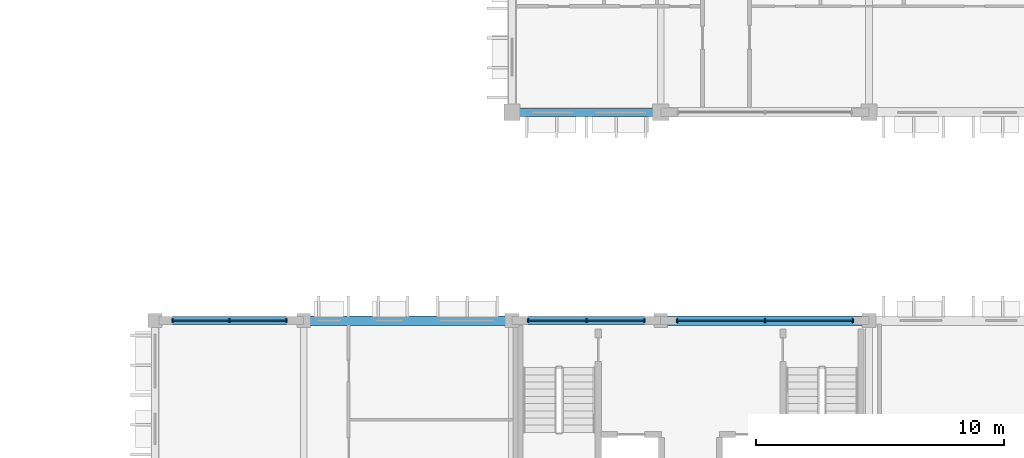
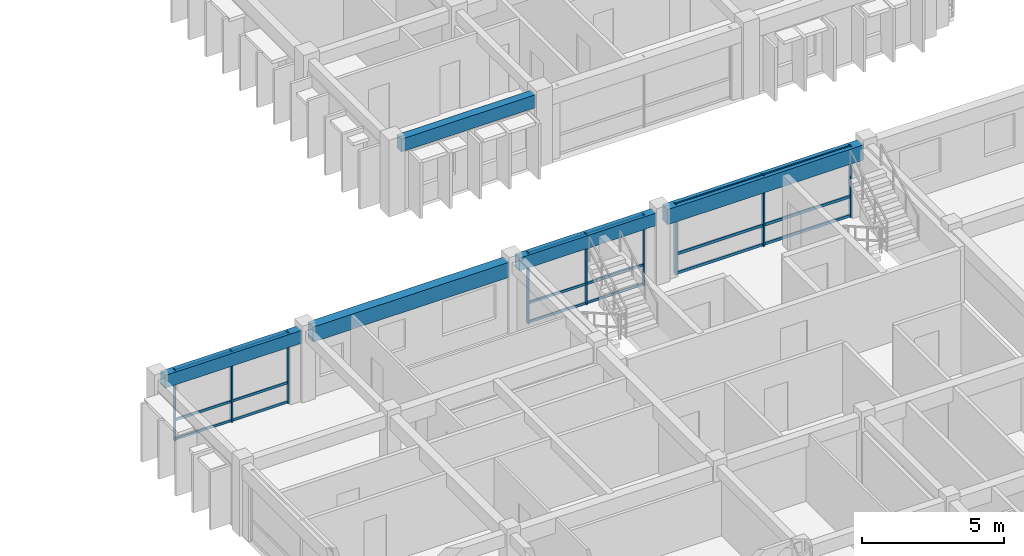
# One storey, part 17 of 79: 18 members, 5 beams, 3 elements without a shape of their own.
"""IFC4 building model written with IfcOpenShell, lengths in metres."""

from ifc_helpers import new_model, si_unit, direction, frame, origin, origin_2d, place, context, subcontext, project, spatial, rectangle, extrude, material, material_profile, profile_set, type_object, element, aggregate, save


model = new_model("IFC4")

# Units and contexts
model_context = context("Model", 3, precision=1e-05, world=origin(), true_north=direction((0.0, 1.0)))
body_context = subcontext(model_context, "Body", "Model", "MODEL_VIEW")
ifc_project = project(units=[si_unit("LENGTHUNIT", "METRE"), si_unit("AREAUNIT", "SQUARE_METRE"), si_unit("VOLUMEUNIT", "CUBIC_METRE"), si_unit("PLANEANGLEUNIT", "RADIAN"), si_unit("MASSUNIT", "GRAM", prefix="KILO"), si_unit("THERMODYNAMICTEMPERATUREUNIT", "KELVIN")], contexts=[model_context])

# Site, building, storey
site_placement = place(None, origin())
site = spatial("IfcSite", under=ifc_project, at=site_placement, CompositionType="ELEMENT")
building_placement = place(site_placement, origin())
building = spatial("IfcBuilding", under=site, at=building_placement, Name="Thalorik Housing Commons", CompositionType="ELEMENT")
storey_placement = place(building_placement, frame((0.0, 0.0, 11.39990234375)))
storey = spatial("IfcBuildingStorey", under=building, at=storey_placement, Name="L03", CompositionType="ELEMENT", Elevation=11.39990234375)

# Curtain wall, members
ifc_material_1 = material(Name="Anodised aluminium and solar-control low-E glass", Category="aluminium")
curtain_wall_type_1 = type_object("IfcCurtainWallType", Name="ARC-CW-LOUNGE", PredefinedType="USERDEFINED", material=ifc_material_1)
curtain_wall_1_placement = place(storey_placement, origin())
curtain_wall_1 = element("IfcCurtainWall", 1, at=curtain_wall_1_placement, inside=storey, type_object=curtain_wall_type_1, Name="L03 Curtain Wall CW-RES-L03-D-182", ObjectType="CURTAIN WALL", PredefinedType="USERDEFINED")
ifc_material_2 = material(Name="Anodised aluminium 6063-T6", Category="aluminium")
ifc_material_profile_1 = material_profile(ifc_material_2, rectangle(XDim=0.054931640625, YDim=0.139892578125, at=origin_2d()), Name="ALU MUL 55x140", Category="aluminium")
ifc_profile_set_1 = profile_set([ifc_material_profile_1], Name="Anodised aluminium 6063-T6")
member_type_1 = type_object("IfcMemberType", Name="ARC-CW-MUL-55x140", PredefinedType="MULLION", material=ifc_profile_set_1)
member_1_placement = place(storey_placement, frame((143.300048828125, 72.0, 0.0), z_axis=(0.0, 0.0, 1.0), x_axis=(-1.0, 0.0, 0.0)))
member_1 = element("IfcMember", 2, at=member_1_placement, type_object=member_type_1, Name="CW-RES-L03-D-182 Mullion 1", PredefinedType="MULLION", context=body_context, shape_type="SweptSolid", body=[
    extrude(rectangle(XDim=0.054931640625, YDim=0.139892578125, at=origin_2d()), origin(), (0.0, 0.0, 1.0), 3.0400390625),
])
member_2_placement = place(storey_placement, frame((141.0, 72.0, 0.0), z_axis=(0.0, 0.0, 1.0), x_axis=(-1.0, 0.0, 0.0)))
member_2 = element("IfcMember", 3, at=member_2_placement, type_object=member_type_1, Name="CW-RES-L03-D-182 Mullion 2", PredefinedType="MULLION", context=body_context, shape_type="SweptSolid", body=[
    extrude(rectangle(XDim=0.054931640625, YDim=0.139892578125, at=origin_2d()), origin(), (0.0, 0.0, 1.0), 3.0400390625),
])
member_3_placement = place(storey_placement, frame((138.699951171875, 72.0, 0.0), z_axis=(0.0, 0.0, 1.0), x_axis=(-1.0, 0.0, 0.0)))
member_3 = element("IfcMember", 4, at=member_3_placement, type_object=member_type_1, Name="CW-RES-L03-D-182 Mullion 3", PredefinedType="MULLION", context=body_context, shape_type="SweptSolid", body=[
    extrude(rectangle(XDim=0.054931640625, YDim=0.139892578125, at=origin_2d()), origin(), (0.0, 0.0, 1.0), 3.0400390625),
])

curtain_wall_type_2 = type_object("IfcCurtainWallType", Name="ARC-CW-CORE", PredefinedType="USERDEFINED", material=ifc_material_1)
curtain_wall_2_placement = place(storey_placement, origin())
curtain_wall_2 = element("IfcCurtainWall", 5, at=curtain_wall_2_placement, inside=storey, type_object=curtain_wall_type_2, Name="L03 Curtain Wall CW-CORE-L03-D-188", ObjectType="CURTAIN WALL", PredefinedType="USERDEFINED")
member_4_placement = place(storey_placement, frame((157.75, 72.0, 0.0), z_axis=(0.0, 0.0, 1.0), x_axis=(-1.0, 0.0, 0.0)))
member_4 = element("IfcMember", 6, at=member_4_placement, type_object=member_type_1, Name="CW-CORE-L03-D-188 Mullion 1", PredefinedType="MULLION", context=body_context, shape_type="SweptSolid", body=[
    extrude(rectangle(XDim=0.054931640625, YDim=0.139892578125, at=origin_2d()), origin(), (0.0, 0.0, 1.0), 3.0400390625),
])
member_5_placement = place(storey_placement, frame((155.39990234375, 72.0, 0.0), z_axis=(0.0, 0.0, 1.0), x_axis=(-1.0, 0.0, 0.0)))
member_5 = element("IfcMember", 7, at=member_5_placement, type_object=member_type_1, Name="CW-CORE-L03-D-188 Mullion 2", PredefinedType="MULLION", context=body_context, shape_type="SweptSolid", body=[
    extrude(rectangle(XDim=0.054931640625, YDim=0.139892578125, at=origin_2d()), origin(), (0.0, 0.0, 1.0), 3.0400390625),
])
member_6_placement = place(storey_placement, frame((153.050048828125, 72.0, 0.0), z_axis=(0.0, 0.0, 1.0), x_axis=(-1.0, 0.0, 0.0)))
member_6 = element("IfcMember", 8, at=member_6_placement, type_object=member_type_1, Name="CW-CORE-L03-D-188 Mullion 3", PredefinedType="MULLION", context=body_context, shape_type="SweptSolid", body=[
    extrude(rectangle(XDim=0.054931640625, YDim=0.139892578125, at=origin_2d()), origin(), (0.0, 0.0, 1.0), 3.0400390625),
])

curtain_wall_3_placement = place(storey_placement, origin())
curtain_wall_3 = element("IfcCurtainWall", 9, at=curtain_wall_3_placement, inside=storey, type_object=curtain_wall_type_2, Name="L03 Curtain Wall CW-CORE-L03-D-187", ObjectType="CURTAIN WALL", PredefinedType="USERDEFINED")
ifc_material_profile_2 = material_profile(ifc_material_2, rectangle(XDim=0.06005859375, YDim=0.159912109375, at=origin_2d()), Name="ALU MUL 60x160", Category="aluminium")
ifc_profile_set_2 = profile_set([ifc_material_profile_2], Name="Anodised aluminium 6063-T6")
member_type_2 = type_object("IfcMemberType", Name="ARC-CW-MUL-60x160", PredefinedType="MULLION", material=ifc_profile_set_2)
member_7_placement = place(storey_placement, frame((166.14990234375, 72.0, 0.0), z_axis=(0.0, 0.0, 1.0), x_axis=(-1.0, 0.0, 0.0)))
member_7 = element("IfcMember", 10, at=member_7_placement, type_object=member_type_2, Name="CW-CORE-L03-D-187 Mullion 1", PredefinedType="MULLION", context=body_context, shape_type="SweptSolid", body=[
    extrude(rectangle(XDim=0.06005859375, YDim=0.159912109375, at=origin_2d()), origin(), (0.0, 0.0, 1.0), 3.0400390625),
])
member_8_placement = place(storey_placement, frame((162.60009765625, 72.0, 0.0), z_axis=(0.0, 0.0, 1.0), x_axis=(-1.0, 0.0, 0.0)))
member_8 = element("IfcMember", 11, at=member_8_placement, type_object=member_type_2, Name="CW-CORE-L03-D-187 Mullion 2", PredefinedType="MULLION", context=body_context, shape_type="SweptSolid", body=[
    extrude(rectangle(XDim=0.06005859375, YDim=0.159912109375, at=origin_2d()), origin(), (0.0, 0.0, 1.0), 3.0400390625),
])
member_9_placement = place(storey_placement, frame((159.050048828125, 72.0, 0.0), z_axis=(0.0, 0.0, 1.0), x_axis=(-1.0, 0.0, 0.0)))
member_9 = element("IfcMember", 12, at=member_9_placement, type_object=member_type_2, Name="CW-CORE-L03-D-187 Mullion 3", PredefinedType="MULLION", context=body_context, shape_type="SweptSolid", body=[
    extrude(rectangle(XDim=0.06005859375, YDim=0.159912109375, at=origin_2d()), origin(), (0.0, 0.0, 1.0), 3.0400390625),
])

# Member
ifc_material_profile_3 = material_profile(ifc_material_2, rectangle(XDim=0.054931640625, YDim=0.10498046875, at=origin_2d()), Name="ALU TRN 55x105", Category="aluminium")
ifc_profile_set_3 = profile_set([ifc_material_profile_3], Name="Anodised aluminium 6063-T6")
member_type_3 = type_object("IfcMemberType", Name="ARC-CW-TRN-55x105", PredefinedType="USERDEFINED", material=ifc_profile_set_3)
member_10_placement = place(storey_placement, frame((143.300048828125, 72.0, 0.05517578125), z_axis=(-1.0, 0.0, 0.0), x_axis=(0.0, -1.0, 0.0)))
member_10 = element("IfcMember", 13, at=member_10_placement, type_object=member_type_3, Name="CW-RES-L03-D-182 Transom 1", ObjectType="TRANSOM", PredefinedType="USERDEFINED", context=body_context, shape_type="SweptSolid", body=[
    extrude(rectangle(XDim=0.054931640625, YDim=0.10498046875, at=origin_2d()), origin(), (0.0, 0.0, 1.0), 4.60009765625),
])

member_11_placement = place(storey_placement, frame((143.300048828125, 72.0, 0.880126953125), z_axis=(-1.0, 0.0, 0.0), x_axis=(0.0, -1.0, 0.0)))
member_11 = element("IfcMember", 14, at=member_11_placement, type_object=member_type_3, Name="CW-RES-L03-D-182 Transom 2", ObjectType="TRANSOM", PredefinedType="USERDEFINED", context=body_context, shape_type="SweptSolid", body=[
    extrude(rectangle(XDim=0.054931640625, YDim=0.10498046875, at=origin_2d()), origin(), (0.0, 0.0, 1.0), 4.60009765625),
])

member_12_placement = place(storey_placement, frame((143.300048828125, 72.0, 2.985107421875), z_axis=(-1.0, 0.0, 0.0), x_axis=(0.0, -1.0, 0.0)))
member_12 = element("IfcMember", 15, at=member_12_placement, type_object=member_type_3, Name="CW-RES-L03-D-182 Transom 3", ObjectType="TRANSOM", PredefinedType="USERDEFINED", context=body_context, shape_type="SweptSolid", body=[
    extrude(rectangle(XDim=0.054931640625, YDim=0.10498046875, at=origin_2d()), origin(), (0.0, 0.0, 1.0), 4.60009765625),
])

aggregate(curtain_wall_1, [member_1, member_2, member_3, member_10, member_11, member_12])

member_13_placement = place(storey_placement, frame((157.75, 72.0, 0.05517578125), z_axis=(-1.0, 0.0, 0.0), x_axis=(0.0, -1.0, 0.0)))
member_13 = element("IfcMember", 16, at=member_13_placement, type_object=member_type_3, Name="CW-CORE-L03-D-188 Transom 1", ObjectType="TRANSOM", PredefinedType="USERDEFINED", context=body_context, shape_type="SweptSolid", body=[
    extrude(rectangle(XDim=0.054931640625, YDim=0.10498046875, at=origin_2d()), origin(), (0.0, 0.0, 1.0), 4.699951171875),
])

member_14_placement = place(storey_placement, frame((157.75, 72.0, 0.880126953125), z_axis=(-1.0, 0.0, 0.0), x_axis=(0.0, -1.0, 0.0)))
member_14 = element("IfcMember", 17, at=member_14_placement, type_object=member_type_3, Name="CW-CORE-L03-D-188 Transom 2", ObjectType="TRANSOM", PredefinedType="USERDEFINED", context=body_context, shape_type="SweptSolid", body=[
    extrude(rectangle(XDim=0.054931640625, YDim=0.10498046875, at=origin_2d()), origin(), (0.0, 0.0, 1.0), 4.699951171875),
])

member_15_placement = place(storey_placement, frame((157.75, 72.0, 2.985107421875), z_axis=(-1.0, 0.0, 0.0), x_axis=(0.0, -1.0, 0.0)))
member_15 = element("IfcMember", 18, at=member_15_placement, type_object=member_type_3, Name="CW-CORE-L03-D-188 Transom 3", ObjectType="TRANSOM", PredefinedType="USERDEFINED", context=body_context, shape_type="SweptSolid", body=[
    extrude(rectangle(XDim=0.054931640625, YDim=0.10498046875, at=origin_2d()), origin(), (0.0, 0.0, 1.0), 4.699951171875),
])

aggregate(curtain_wall_2, [member_4, member_5, member_6, member_13, member_14, member_15])

ifc_material_profile_4 = material_profile(ifc_material_2, rectangle(XDim=0.06005859375, YDim=0.1201171875, at=origin_2d()), Name="ALU TRN 60x120", Category="aluminium")
ifc_profile_set_4 = profile_set([ifc_material_profile_4], Name="Anodised aluminium 6063-T6")
member_type_4 = type_object("IfcMemberType", Name="ARC-CW-TRN-60x120", PredefinedType="USERDEFINED", material=ifc_profile_set_4)
member_16_placement = place(storey_placement, frame((166.14990234375, 72.0, 0.05517578125), z_axis=(-1.0, 0.0, 0.0), x_axis=(0.0, -1.0, 0.0)))
member_16 = element("IfcMember", 19, at=member_16_placement, type_object=member_type_4, Name="CW-CORE-L03-D-187 Transom 1", ObjectType="TRANSOM", PredefinedType="USERDEFINED", context=body_context, shape_type="SweptSolid", body=[
    extrude(rectangle(XDim=0.06005859375, YDim=0.1201171875, at=origin_2d()), origin(), (0.0, 0.0, 1.0), 7.099853515625),
])

member_17_placement = place(storey_placement, frame((166.14990234375, 72.0, 0.880126953125), z_axis=(-1.0, 0.0, 0.0), x_axis=(0.0, -1.0, 0.0)))
member_17 = element("IfcMember", 20, at=member_17_placement, type_object=member_type_4, Name="CW-CORE-L03-D-187 Transom 2", ObjectType="TRANSOM", PredefinedType="USERDEFINED", context=body_context, shape_type="SweptSolid", body=[
    extrude(rectangle(XDim=0.06005859375, YDim=0.1201171875, at=origin_2d()), origin(), (0.0, 0.0, 1.0), 7.099853515625),
])

member_18_placement = place(storey_placement, frame((166.14990234375, 72.0, 2.985107421875), z_axis=(-1.0, 0.0, 0.0), x_axis=(0.0, -1.0, 0.0)))
member_18 = element("IfcMember", 21, at=member_18_placement, type_object=member_type_4, Name="CW-CORE-L03-D-187 Transom 3", ObjectType="TRANSOM", PredefinedType="USERDEFINED", context=body_context, shape_type="SweptSolid", body=[
    extrude(rectangle(XDim=0.06005859375, YDim=0.1201171875, at=origin_2d()), origin(), (0.0, 0.0, 1.0), 7.099853515625),
])

aggregate(curtain_wall_3, [member_7, member_8, member_9, member_16, member_17, member_18])

# Beams
ifc_material_3 = material(Name="Precast concrete C40/50", Category="concrete")
ifc_material_profile_5 = material_profile(ifc_material_3, rectangle(XDim=0.320068359375, YDim=0.550048828125, at=origin_2d()), Name="PC 320x550", Category="concrete")
ifc_profile_set_5 = profile_set([ifc_material_profile_5], Name="Precast concrete C40/50")
beam_type_1 = type_object("IfcBeamType", Name="STR-BM-PC320x550", PredefinedType="BEAM", material=ifc_profile_set_5)
beam_1_placement = place(storey_placement, frame((138.22509765625, 72.0, 2.76513671875), z_axis=(1.0, 0.0, 0.0), x_axis=(0.0, 1.0, 0.0)))
element("IfcBeam", 22, at=beam_1_placement, inside=storey, type_object=beam_type_1, Name="L03 Beam B-550", PredefinedType="BEAM", context=body_context, shape_type="SweptSolid", body=[
    extrude(rectangle(XDim=0.320068359375, YDim=0.550048828125, at=origin_2d()), origin(), (0.0, 0.0, 1.0), 5.5498046875),
])
beam_2_placement = place(storey_placement, frame((152.625, 72.0, 2.76513671875), z_axis=(1.0, 0.0, 0.0), x_axis=(0.0, 1.0, 0.0)))
element("IfcBeam", 23, at=beam_2_placement, inside=storey, type_object=beam_type_1, Name="L03 Beam B-550", PredefinedType="BEAM", context=body_context, shape_type="SweptSolid", body=[
    extrude(rectangle(XDim=0.320068359375, YDim=0.550048828125, at=origin_2d()), origin(), (0.0, 0.0, 1.0), 5.550048828125),
])
beam_3_placement = place(storey_placement, frame((152.675048828125, 80.39990234375, 2.76513671875), z_axis=(1.0, 0.0, 0.0), x_axis=(0.0, 1.0, 0.0)))
element("IfcBeam", 24, at=beam_3_placement, inside=storey, type_object=beam_type_1, Name="L03 Beam B-550", PredefinedType="BEAM", context=body_context, shape_type="SweptSolid", body=[
    extrude(rectangle(XDim=0.320068359375, YDim=0.550048828125, at=origin_2d()), origin(), (0.0, 0.0, 1.0), 5.449951171875),
])
ifc_material_profile_6 = material_profile(ifc_material_3, rectangle(XDim=0.3798828125, YDim=0.64990234375, at=origin_2d()), Name="PC 380x650", Category="concrete")
ifc_profile_set_6 = profile_set([ifc_material_profile_6], Name="Precast concrete C40/50")
beam_type_2 = type_object("IfcBeamType", Name="STR-BM-PC380x650", PredefinedType="BEAM", material=ifc_profile_set_6)
for number, where, z_axis, x_axis, name in (
    (25, (144.22509765625, 72.0, 2.715087890625), (1.0, 0.0, 0.0), (0.0, 1.0, 0.0), "L03 Beam B-650"),
    (26, (158.625, 72.0, 2.715087890625), (1.0, 0.0, 0.0), (0.0, 1.0, 0.0), "L03 Beam B-650"),
):
    element("IfcBeam", number, at=place(storey_placement, frame(where, z_axis=z_axis, x_axis=x_axis)), inside=storey, type_object=beam_type_2, Name=name, PredefinedType="BEAM", context=body_context, shape_type="SweptSolid", body=[
        extrude(rectangle(XDim=0.3798828125, YDim=0.64990234375, at=origin_2d()), origin(), (0.0, 0.0, 1.0), 7.949951171875),
    ])

save(model, "model.ifc")
